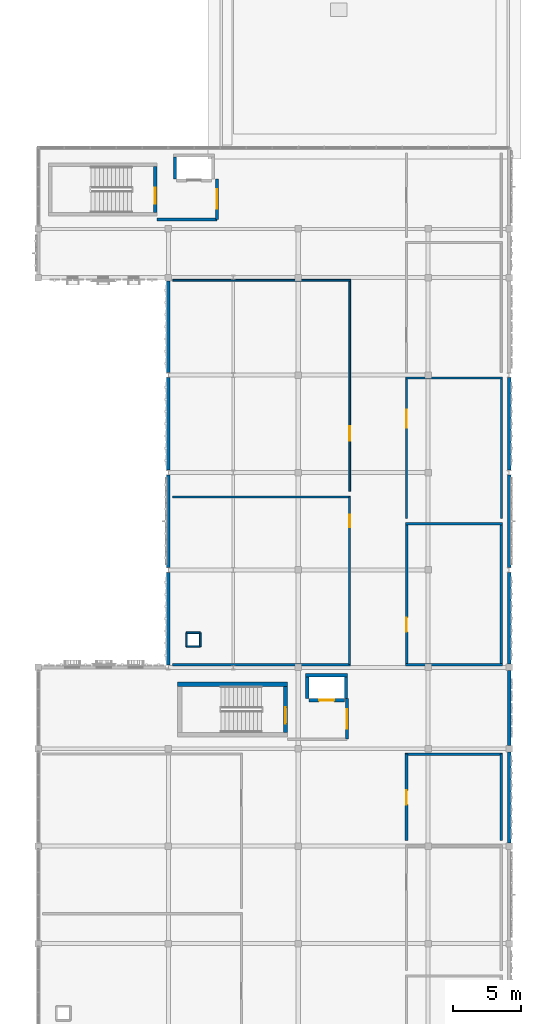
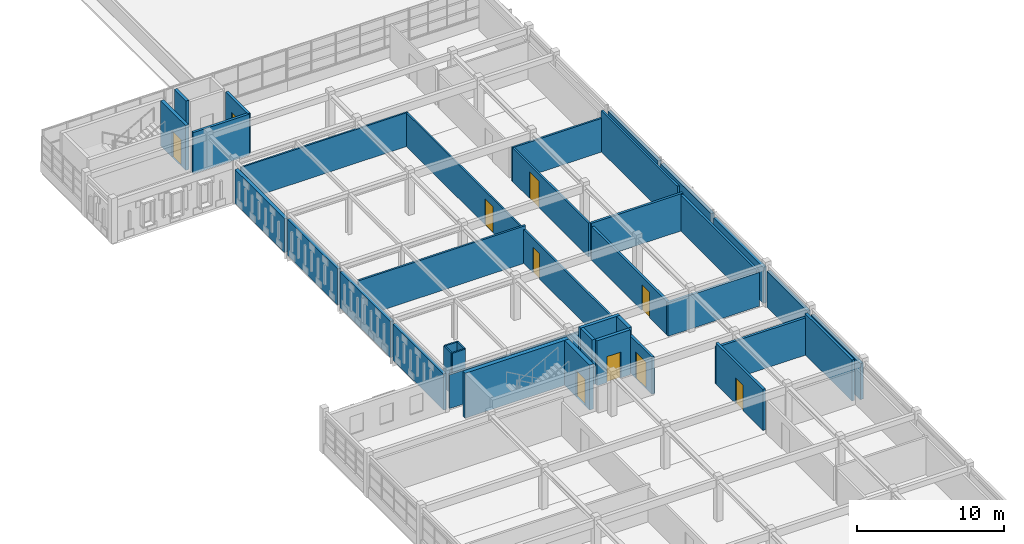
# One storey, part 31 of 53: 39 walls, 10 doors, 10 openings.
"""IFC4 building model written with IfcOpenShell, lengths in metres."""

from ifc_helpers import new_model, si_unit, direction, frame, frame_2d, origin, place, context, subcontext, project, spatial, rectangle, extrude, material, layer, layer_set, type_object, element, fill, save


model = new_model("IFC4")

# Units and contexts
model_context = context("Model", 3, precision=1e-05, world=origin(), true_north=direction((0.0, 1.0)))
body_context = subcontext(model_context, "Body", "Model", "MODEL_VIEW")
ifc_project = project(units=[si_unit("LENGTHUNIT", "METRE"), si_unit("AREAUNIT", "SQUARE_METRE"), si_unit("VOLUMEUNIT", "CUBIC_METRE"), si_unit("PLANEANGLEUNIT", "RADIAN"), si_unit("MASSUNIT", "GRAM", prefix="KILO")], contexts=[model_context])

# Site, building, storey
site_placement = place(None, origin())
site = spatial("IfcSite", under=ifc_project, at=site_placement, CompositionType="ELEMENT")
building_placement = place(site_placement, origin())
building = spatial("IfcBuilding", under=site, at=building_placement, Name="Nzembalo Square Collegiate School", CompositionType="ELEMENT")
storey_placement = place(building_placement, frame((0.0, 0.0, 13.60009765625)))
storey = spatial("IfcBuildingStorey", under=building, at=storey_placement, Name="L03", CompositionType="ELEMENT", Elevation=13.60009765625)

# Wall
ifc_material_1 = material(Name="Concrete C40/50", Category="concrete")
ifc_layer_1 = layer(ifc_material_1, 0.320068359375, Name="Concrete C40/50")
ifc_layer_set_1 = layer_set([ifc_layer_1], Name="Concrete C40/50")
wall_type_1 = type_object("IfcWallType", Name="SW01", PredefinedType="SHEAR", material=ifc_layer_set_1)
wall_1_placement = place(storey_placement, frame((141.080078125, 49.159912109375, 0.0), z_axis=(0.0, 0.0, 1.0), x_axis=(1.0, 0.0, 0.0)))
element("IfcWall", 1, at=wall_1_placement, inside=storey, type_object=wall_type_1, Name="Core C5 stair shear wall N L03", PredefinedType="SHEAR", context=body_context, shape_type="SweptSolid", body=[
    extrude(rectangle(XDim=8.139892578125, YDim=0.320068359375, at=frame_2d((4.06982421875, 0.0))), origin(), (0.0, 0.0, 1.0), 3.739990234375),
])

# Wall, opening, door
wall_2_placement = place(storey_placement, frame((149.06005859375, 45.60009765625, 0.0), z_axis=(0.0, 0.0, 1.0), x_axis=(0.0, 1.0, 0.0)))
wall_2 = element("IfcWall", 2, at=wall_2_placement, inside=storey, type_object=wall_type_1, Name="Core C5 stair shear wall E L03", PredefinedType="SHEAR", context=body_context, shape_type="SweptSolid", body=[
    extrude(rectangle(XDim=3.39990234375, YDim=0.320068359375, at=frame_2d((1.699951171875, 0.0))), origin(), (0.0, 0.0, 1.0), 3.739990234375),
])
opening_1_placement = place(wall_2_placement, frame((0.64990234375, 0.0, 0.0)))
opening_1 = element("IfcOpeningElement", 3, at=opening_1_placement, cuts=wall_2, Name="Opening FD-052", PredefinedType="OPENING", context=body_context, shape_type="SweptSolid", body=[
    extrude(rectangle(XDim=1.199951171875, YDim=2.199951171875, at=frame_2d((0.60009765625, 1.10009765625))), frame((0.0, 0.169921875, 0.0), z_axis=(0.0, -1.0, 0.0), x_axis=(1.0, 0.0, 0.0)), (0.0, 0.0, 1.0), 0.340087890625),
])
ifc_material_2 = material(Name="Fire-rated steel acoustic door", Category="steel")
door_type_1 = type_object("IfcDoorType", Name="FD01", OperationType="NOTDEFINED", PredefinedType="DOOR", material=ifc_material_2)
door_1_placement = place(opening_1_placement, origin())
door_1 = element("IfcDoor", 4, at=door_1_placement, inside=storey, type_object=door_type_1, Name="Stair fire door FD-052", OperationType="SINGLE_SWING_RIGHT", OverallHeight=2.199951171875, OverallWidth=1.199951171875, PredefinedType="DOOR", context=body_context, shape_type="SweptSolid", body=[
    extrude(rectangle(XDim=1.199951171875, YDim=2.199951171875, at=frame_2d((0.60009765625, 1.10009765625))), frame((0.0, 0.02490234375, 0.0), z_axis=(0.0, -1.0, 0.0), x_axis=(1.0, 0.0, 0.0)), (0.0, 0.0, 1.0), 0.050048828125),
])
fill(opening_1, door_1)

ifc_material_3 = material(Name="Concrete C35/45", Category="concrete")
ifc_layer_2 = layer(ifc_material_3, 0.260009765625, Name="Concrete C35/45")
ifc_layer_set_2 = layer_set([ifc_layer_2], Name="Concrete C35/45")
wall_type_2 = type_object("IfcWallType", Name="SW04", PredefinedType="SHEAR", material=ifc_layer_set_2)
wall_3_placement = place(storey_placement, frame((139.429931640625, 84.0, 0.0), z_axis=(0.0, 0.0, 1.0), x_axis=(0.0, 1.0, 0.0)))
wall_3 = element("IfcWall", 5, at=wall_3_placement, inside=storey, type_object=wall_type_2, Name="Core C4 stair shear wall E L03", PredefinedType="SHEAR", context=body_context, shape_type="SweptSolid", body=[
    extrude(rectangle(XDim=3.39990234375, YDim=0.260009765625, at=frame_2d((1.699951171875, 0.0))), origin(), (0.0, 0.0, 1.0), 3.739990234375),
])
opening_2_placement = place(wall_3_placement, frame((0.64990234375, 0.0, 0.0)))
opening_2 = element("IfcOpeningElement", 6, at=opening_2_placement, cuts=wall_3, Name="Opening FD-038", PredefinedType="OPENING", context=body_context, shape_type="SweptSolid", body=[
    extrude(rectangle(XDim=1.199951171875, YDim=2.199951171875, at=frame_2d((0.60009765625, 1.10009765625))), frame((0.0, 0.14013671875, 0.0), z_axis=(0.0, -1.0, 0.0), x_axis=(1.0, 0.0, 0.0)), (0.0, 0.0, 1.0), 0.280029296875),
])
door_2_placement = place(opening_2_placement, origin())
door_2 = element("IfcDoor", 7, at=door_2_placement, inside=storey, type_object=door_type_1, Name="Stair fire door FD-038", OperationType="SINGLE_SWING_RIGHT", OverallHeight=2.199951171875, OverallWidth=1.199951171875, PredefinedType="DOOR", context=body_context, shape_type="SweptSolid", body=[
    extrude(rectangle(XDim=1.199951171875, YDim=2.199951171875, at=frame_2d((0.60009765625, 1.10009765625))), frame((0.0, 0.02490234375, 0.0), z_axis=(0.0, -1.0, 0.0), x_axis=(1.0, 0.0, 0.0)), (0.0, 0.0, 1.0), 0.050048828125),
])
fill(opening_2, door_2)

# Walls
ifc_material_4 = material(Name="Concrete C35/45", Category="concrete")
ifc_layer_3 = layer(ifc_material_4, 0.25, Name="Concrete C35/45")
ifc_layer_set_3 = layer_set([ifc_layer_3], Name="Concrete C35/45")
wall_type_3 = type_object("IfcWallType", Name="SW05", PredefinedType="SHEAR", material=ifc_layer_set_3)
for number, where, z_axis, x_axis, name in (
    (8, (150.675048828125, 48.10009765625, 0.0), (0.0, 0.0, 1.0), (0.0, 1.0, 0.0), "Lift LF4 shaft wall W L03"),
    (9, (153.52490234375, 48.10009765625, 0.0), (0.0, 0.0, 1.0), (0.0, 1.0, 0.0), "Lift LF4 shaft wall E L03"),
):
    element("IfcWall", number, at=place(storey_placement, frame(where, z_axis=z_axis, x_axis=x_axis)), inside=storey, type_object=wall_type_3, Name=name, PredefinedType="SHEAR", context=body_context, shape_type="SweptSolid", body=[
        extrude(rectangle(XDim=1.599853515625, YDim=0.25, at=frame_2d((0.7998046875, 0.0))), origin(), (0.0, 0.0, 1.0), 3.739990234375),
    ])
wall_4_placement = place(storey_placement, frame((150.550048828125, 49.824951171875, 0.0), z_axis=(0.0, 0.0, 1.0), x_axis=(1.0, 0.0, 0.0)))
element("IfcWall", 10, at=wall_4_placement, inside=storey, type_object=wall_type_3, Name="Lift LF4 shaft wall N L03", PredefinedType="SHEAR", context=body_context, shape_type="SweptSolid", body=[
    extrude(rectangle(XDim=3.099853515625, YDim=0.25, at=frame_2d((1.5498046875, 0.0))), origin(), (0.0, 0.0, 1.0), 3.739990234375),
])

# Wall, opening, door
wall_5_placement = place(storey_placement, frame((150.800048828125, 47.97509765625, 0.0), z_axis=(0.0, 0.0, 1.0), x_axis=(1.0, 0.0, 0.0)))
wall_5 = element("IfcWall", 11, at=wall_5_placement, inside=storey, type_object=wall_type_3, Name="Lift LF4 landing front wall L03", PredefinedType="SHEAR", context=body_context, shape_type="SweptSolid", body=[
    extrude(rectangle(XDim=2.599853515625, YDim=0.25, at=frame_2d((1.2998046875, 0.0))), origin(), (0.0, 0.0, 1.0), 3.739990234375),
])
opening_3_placement = place(wall_5_placement, frame((0.75, 0.0, 0.0)))
opening_3 = element("IfcOpeningElement", 12, at=opening_3_placement, cuts=wall_5, Name="Opening LD-LF4-L03", PredefinedType="OPENING", context=body_context, shape_type="SweptSolid", body=[
    extrude(rectangle(XDim=1.10009765625, YDim=2.14990234375, at=frame_2d((0.550048828125, 1.074951171875))), frame((0.0, 0.135009765625, 0.0), z_axis=(0.0, -1.0, 0.0), x_axis=(1.0, 0.0, 0.0)), (0.0, 0.0, 1.0), 0.27001953125),
])
ifc_material_5 = material(Name="Stainless-steel sliding landing door", Category="steel")
door_type_2 = type_object("IfcDoorType", Name="LD01", OperationType="DOUBLE_DOOR_SLIDING", PredefinedType="DOOR", material=ifc_material_5)
door_3_placement = place(opening_3_placement, origin())
door_3 = element("IfcDoor", 13, at=door_3_placement, inside=storey, type_object=door_type_2, Name="Sliding lift landing door LD-LF4-L03", OperationType="DOUBLE_DOOR_SLIDING", OverallHeight=2.14990234375, OverallWidth=1.10009765625, PredefinedType="DOOR", context=body_context, shape_type="SweptSolid", body=[
    extrude(rectangle(XDim=1.10009765625, YDim=2.14990234375, at=frame_2d((0.550048828125, 1.074951171875))), frame((0.0, 0.02490234375, 0.0), z_axis=(0.0, -1.0, 0.0), x_axis=(1.0, 0.0, 0.0)), (0.0, 0.0, 1.0), 0.050048828125),
])
fill(opening_3, door_3)

# Walls
ifc_material_6 = material(Name="Concrete C35/45", Category="concrete")
ifc_layer_4 = layer(ifc_material_6, 0.219970703125, Name="Concrete C35/45")
ifc_layer_set_4 = layer_set([ifc_layer_4], Name="Concrete C35/45")
wall_type_4 = type_object("IfcWallType", Name="SW08", PredefinedType="SHEAR", material=ifc_layer_set_4)
wall_6_placement = place(storey_placement, frame((140.889892578125, 86.5, 0.0), z_axis=(0.0, 0.0, 1.0), x_axis=(0.0, 1.0, 0.0)))
element("IfcWall", 14, at=wall_6_placement, inside=storey, type_object=wall_type_4, Name="Lift LF3 shaft wall W L03", PredefinedType="SHEAR", context=body_context, shape_type="SweptSolid", body=[
    extrude(rectangle(XDim=1.60009765625, YDim=0.219970703125, at=frame_2d((0.800048828125, 0.0))), origin(), (0.0, 0.0, 1.0), 3.739990234375),
])
ifc_material_7 = material(Name="Concrete C30/37", Category="concrete")
ifc_layer_5 = layer(ifc_material_7, 0.264892578125, Name="Concrete C30/37")
ifc_layer_set_5 = layer_set([ifc_layer_5], Name="Concrete C30/37")
wall_type_5 = type_object("IfcWallType", Name="W06", PredefinedType="SOLIDWALL", material=ifc_layer_set_5)
wall_7_placement = place(storey_placement, frame((140.39990234375, 57.77197265625, 0.0), z_axis=(0.0, 0.0, 1.0), x_axis=(0.0, 1.0, 0.0)))
element("IfcWall", 15, at=wall_7_placement, inside=storey, type_object=wall_type_5, Name="Exterior wall W06 L03", PredefinedType="SOLIDWALL", context=body_context, shape_type="SweptSolid", body=[
    extrude(rectangle(XDim=6.85595703125, YDim=0.264892578125, at=frame_2d((3.427978515625, 0.0))), origin(), (0.0, 0.0, 1.0), 2.9990234375),
])
wall_8_placement = place(storey_placement, frame((140.39990234375, 72.172119140625, 0.0), z_axis=(0.0, 0.0, 1.0), x_axis=(0.0, 1.0, 0.0)))
element("IfcWall", 16, at=wall_8_placement, inside=storey, type_object=wall_type_5, Name="Exterior wall W06 L03", PredefinedType="SOLIDWALL", context=body_context, shape_type="SweptSolid", body=[
    extrude(rectangle(XDim=6.785888671875, YDim=0.264892578125, at=frame_2d((3.39306640625, 0.0))), origin(), (0.0, 0.0, 1.0), 2.808837890625),
])
wall_9_placement = place(storey_placement, frame((165.60009765625, 44.64208984375, 0.0), z_axis=(0.0, 0.0, 1.0), x_axis=(0.0, 1.0, 0.0)))
element("IfcWall", 17, at=wall_9_placement, inside=storey, type_object=wall_type_5, Name="Exterior wall W06 L03", PredefinedType="SOLIDWALL", context=body_context, shape_type="SweptSolid", body=[
    extrude(rectangle(XDim=5.515869140625, YDim=0.264892578125, at=frame_2d((2.7578125, 0.0))), origin(), (0.0, 0.0, 1.0), 2.9990234375),
])
wall_10_placement = place(storey_placement, frame((165.60009765625, 57.77197265625, 0.0), z_axis=(0.0, 0.0, 1.0), x_axis=(0.0, 1.0, 0.0)))
element("IfcWall", 18, at=wall_10_placement, inside=storey, type_object=wall_type_5, Name="Exterior wall W06 L03", PredefinedType="SOLIDWALL", context=body_context, shape_type="SweptSolid", body=[
    extrude(rectangle(XDim=6.85595703125, YDim=0.264892578125, at=frame_2d((3.427978515625, 0.0))), origin(), (0.0, 0.0, 1.0), 3.14892578125),
])
ifc_material_8 = material(Name="CLT CL24", Category="wood")
ifc_layer_6 = layer(ifc_material_8, 0.2451171875, Name="CLT CL24")
ifc_layer_set_6 = layer_set([ifc_layer_6], Name="CLT CL24")
wall_type_6 = type_object("IfcWallType", Name="W07", PredefinedType="SOLIDWALL", material=ifc_layer_set_6)
for number, where, z_axis, x_axis, name in (
    (19, (140.39990234375, 50.572021484375, 0.0), (0.0, 0.0, 1.0), (0.0, 1.0, 0.0), "Exterior wall W07 L03"),
    (20, (140.39990234375, 64.971923828125, 0.0), (0.0, 0.0, 1.0), (0.0, 1.0, 0.0), "Exterior wall W07 L03"),
):
    element("IfcWall", number, at=place(storey_placement, frame(where, z_axis=z_axis, x_axis=x_axis)), inside=storey, type_object=wall_type_6, Name=name, PredefinedType="SOLIDWALL", context=body_context, shape_type="SweptSolid", body=[
        extrude(rectangle(XDim=6.85595703125, YDim=0.2451171875, at=frame_2d((3.427978515625, 0.0))), origin(), (0.0, 0.0, 1.0), 2.9990234375),
    ])
wall_11_placement = place(storey_placement, frame((165.60009765625, 37.44189453125, 0.0), z_axis=(0.0, 0.0, 1.0), x_axis=(0.0, 1.0, 0.0)))
element("IfcWall", 21, at=wall_11_placement, inside=storey, type_object=wall_type_6, Name="Exterior wall W07 L03", PredefinedType="SOLIDWALL", context=body_context, shape_type="SweptSolid", body=[
    extrude(rectangle(XDim=6.716064453125, YDim=0.2451171875, at=frame_2d((3.35791015625, 0.0))), origin(), (0.0, 0.0, 1.0), 2.9990234375),
])
wall_12_placement = place(storey_placement, frame((165.60009765625, 50.64208984375, 0.0), z_axis=(0.0, 0.0, 1.0), x_axis=(0.0, 1.0, 0.0)))
element("IfcWall", 22, at=wall_12_placement, inside=storey, type_object=wall_type_6, Name="Exterior wall W07 L03", PredefinedType="SOLIDWALL", context=body_context, shape_type="SweptSolid", body=[
    extrude(rectangle(XDim=6.785888671875, YDim=0.2451171875, at=frame_2d((3.39306640625, 0.0))), origin(), (0.0, 0.0, 1.0), 2.9990234375),
])
wall_13_placement = place(storey_placement, frame((165.60009765625, 64.971923828125, 0.0), z_axis=(0.0, 0.0, 1.0), x_axis=(0.0, 1.0, 0.0)))
element("IfcWall", 23, at=wall_13_placement, inside=storey, type_object=wall_type_6, Name="Exterior wall W07 L03", PredefinedType="SOLIDWALL", context=body_context, shape_type="SweptSolid", body=[
    extrude(rectangle(XDim=6.85595703125, YDim=0.2451171875, at=frame_2d((3.427978515625, 0.0))), origin(), (0.0, 0.0, 1.0), 3.14892578125),
])

# Wall, opening, door
ifc_material_9 = material(Name="Concrete blockwork C25/30", Category="masonry")
ifc_layer_7 = layer(ifc_material_9, 0.199951171875, Name="Concrete blockwork C25/30")
ifc_layer_set_7 = layer_set([ifc_layer_7], Name="Concrete blockwork C25/30")
wall_type_7 = type_object("IfcWallType", Name="W11", PredefinedType="PARTITIONING", material=ifc_layer_set_7)
wall_14_placement = place(storey_placement, frame((144.0, 83.5, 0.0), z_axis=(0.0, 0.0, 1.0), x_axis=(0.0, 1.0, 0.0)))
wall_14 = element("IfcWall", 24, at=wall_14_placement, inside=storey, type_object=wall_type_7, Name="Core C4 EI 60 lobby wall E L03", PredefinedType="PARTITIONING", context=body_context, shape_type="SweptSolid", body=[
    extrude(rectangle(XDim=3.0, YDim=0.199951171875, at=frame_2d((1.5, 0.0))), origin(), (0.0, 0.0, 1.0), 3.413818359375),
])
opening_4_placement = place(wall_14_placement, frame((0.77490234375, 0.0, 0.0)))
opening_4 = element("IfcOpeningElement", 25, at=opening_4_placement, cuts=wall_14, Name="Opening FD-039", PredefinedType="OPENING", context=body_context, shape_type="SweptSolid", body=[
    extrude(rectangle(XDim=1.449951171875, YDim=2.199951171875, at=frame_2d((0.72509765625, 1.10009765625))), frame((0.0, 0.10986328125, 0.0), z_axis=(0.0, -1.0, 0.0), x_axis=(1.0, 0.0, 0.0)), (0.0, 0.0, 1.0), 0.219970703125),
])
ifc_material_10 = material(Name="Fire-rated double lobby door")
door_type_3 = type_object("IfcDoorType", Name="FD02", OperationType="DOUBLE_DOOR_SINGLE_SWING", PredefinedType="DOOR", material=ifc_material_10)
door_4_placement = place(opening_4_placement, frame((1.449951171875, 0.0, 0.0), z_axis=(0.0, 0.0, 1.0), x_axis=(-1.0, 0.0, 0.0)))
door_4 = element("IfcDoor", 26, at=door_4_placement, inside=storey, type_object=door_type_3, Name="Protected lobby fire door FD-039", OperationType="DOUBLE_DOOR_SINGLE_SWING", OverallHeight=2.199951171875, OverallWidth=1.449951171875, PredefinedType="DOOR", context=body_context, shape_type="SweptSolid", body=[
    extrude(rectangle(XDim=1.449951171875, YDim=2.199951171875, at=frame_2d((0.72509765625, 1.10009765625))), frame((0.0, 0.02490234375, 0.0), z_axis=(0.0, -1.0, 0.0), x_axis=(1.0, 0.0, 0.0)), (0.0, 0.0, 1.0), 0.050048828125),
])
fill(opening_4, door_4)

# Wall
wall_15_placement = place(storey_placement, frame((139.56005859375, 83.5, 0.0), z_axis=(0.0, 0.0, 1.0), x_axis=(1.0, 0.0, 0.0)))
element("IfcWall", 27, at=wall_15_placement, inside=storey, type_object=wall_type_7, Name="Core C4 EI 60 lobby wall S L03", PredefinedType="PARTITIONING", context=body_context, shape_type="SweptSolid", body=[
    extrude(rectangle(XDim=4.43994140625, YDim=0.199951171875, at=frame_2d((2.219970703125, 0.0))), origin(), (0.0, 0.0, 1.0), 3.413818359375),
])

# Wall, opening, door
wall_16_placement = place(storey_placement, frame((153.60009765625, 45.10009765625, 0.0), z_axis=(0.0, 0.0, 1.0), x_axis=(0.0, 1.0, 0.0)))
wall_16 = element("IfcWall", 28, at=wall_16_placement, inside=storey, type_object=wall_type_7, Name="Core C5 EI 60 lobby wall E L03", PredefinedType="PARTITIONING", context=body_context, shape_type="SweptSolid", body=[
    extrude(rectangle(XDim=3.0, YDim=0.199951171875, at=frame_2d((1.5, 0.0))), origin(), (0.0, 0.0, 1.0), 3.098876953125),
])
opening_5_placement = place(wall_16_placement, frame((0.77490234375, 0.0, 0.0)))
opening_5 = element("IfcOpeningElement", 29, at=opening_5_placement, cuts=wall_16, Name="Opening FD-053", PredefinedType="OPENING", context=body_context, shape_type="SweptSolid", body=[
    extrude(rectangle(XDim=1.449951171875, YDim=2.199951171875, at=frame_2d((0.72509765625, 1.10009765625))), frame((0.0, 0.10986328125, 0.0), z_axis=(0.0, -1.0, 0.0), x_axis=(1.0, 0.0, 0.0)), (0.0, 0.0, 1.0), 0.219970703125),
])
door_5_placement = place(opening_5_placement, frame((1.449951171875, 0.0, 0.0), z_axis=(0.0, 0.0, 1.0), x_axis=(-1.0, 0.0, 0.0)))
door_5 = element("IfcDoor", 30, at=door_5_placement, inside=storey, type_object=door_type_3, Name="Protected lobby fire door FD-053", OperationType="DOUBLE_DOOR_SINGLE_SWING", OverallHeight=2.199951171875, OverallWidth=1.449951171875, PredefinedType="DOOR", context=body_context, shape_type="SweptSolid", body=[
    extrude(rectangle(XDim=1.449951171875, YDim=2.199951171875, at=frame_2d((0.72509765625, 1.10009765625))), frame((0.0, 0.02490234375, 0.0), z_axis=(0.0, -1.0, 0.0), x_axis=(1.0, 0.0, 0.0)), (0.0, 0.0, 1.0), 0.050048828125),
])
fill(opening_5, door_5)

# Wall
ifc_material_11 = material(Name="Concrete blockwork C25/30", Category="masonry")
ifc_layer_8 = layer(ifc_material_11, 0.195068359375, Name="Concrete blockwork C25/30")
ifc_layer_set_8 = layer_set([ifc_layer_8], Name="Concrete blockwork C25/30")
wall_type_8 = type_object("IfcWallType", Name="W12", PredefinedType="PARTITIONING", material=ifc_layer_set_8)
wall_17_placement = place(storey_placement, frame((157.902587890625, 44.0, 0.0), z_axis=(0.0, 0.0, 1.0), x_axis=(1.0, 0.0, 0.0)))
element("IfcWall", 31, at=wall_17_placement, inside=storey, type_object=wall_type_8, Name="Interior partition W12 L03-042-N", PredefinedType="PARTITIONING", context=body_context, shape_type="SweptSolid", body=[
    extrude(rectangle(XDim=7.19482421875, YDim=0.195068359375, at=frame_2d((3.597412109375, 0.0))), origin(), (0.0, 0.0, 1.0), 3.098876953125),
])

# Wall, opening, door
wall_18_placement = place(storey_placement, frame((158.0, 37.60009765625, 0.0), z_axis=(0.0, 0.0, 1.0), x_axis=(0.0, 1.0, 0.0)))
wall_18 = element("IfcWall", 32, at=wall_18_placement, inside=storey, type_object=wall_type_8, Name="Interior partition W12 L03-042-W", PredefinedType="PARTITIONING", context=body_context, shape_type="SweptSolid", body=[
    extrude(rectangle(XDim=6.39990234375, YDim=0.195068359375, at=frame_2d((3.199951171875, 0.0))), origin(), (0.0, 0.0, 1.0), 3.413818359375),
])
opening_6_placement = place(wall_18_placement, frame((2.675048828125, 0.0, 0.0)))
opening_6 = element("IfcOpeningElement", 33, at=opening_6_placement, cuts=wall_18, Name="Opening D-L03-093", PredefinedType="OPENING", context=body_context, shape_type="SweptSolid", body=[
    extrude(rectangle(XDim=1.050048828125, YDim=2.14990234375, at=frame_2d((0.52490234375, 1.074951171875))), frame((0.0, 0.107421875, 0.0), z_axis=(0.0, -1.0, 0.0), x_axis=(1.0, 0.0, 0.0)), (0.0, 0.0, 1.0), 0.215087890625),
])
ifc_material_12 = material(Name="Fire-rated steel store door", Category="steel")
door_type_4 = type_object("IfcDoorType", Name="FD03", OperationType="NOTDEFINED", PredefinedType="DOOR", material=ifc_material_12)
door_6_placement = place(opening_6_placement, origin())
door_6 = element("IfcDoor", 34, at=door_6_placement, inside=storey, type_object=door_type_4, Name="Interior door D-L03-093 (Separated Acid and Solvent Chemical Store L03)", OperationType="SINGLE_SWING_LEFT", OverallHeight=2.14990234375, OverallWidth=1.050048828125, PredefinedType="DOOR", context=body_context, shape_type="SweptSolid", body=[
    extrude(rectangle(XDim=1.050048828125, YDim=2.14990234375, at=frame_2d((0.52490234375, 1.074951171875))), frame((0.0, 0.02490234375, 0.0), z_axis=(0.0, -1.0, 0.0), x_axis=(1.0, 0.0, 0.0)), (0.0, 0.0, 1.0), 0.050048828125),
])
fill(opening_6, door_6)

# Walls
wall_19_placement = place(storey_placement, frame((165.0, 37.60009765625, 0.0), z_axis=(0.0, 0.0, 1.0), x_axis=(0.0, 1.0, 0.0)))
element("IfcWall", 35, at=wall_19_placement, inside=storey, type_object=wall_type_8, Name="Interior partition W12 L03-042-E", PredefinedType="PARTITIONING", context=body_context, shape_type="SweptSolid", body=[
    extrude(rectangle(XDim=6.39990234375, YDim=0.195068359375, at=frame_2d((3.199951171875, 0.0))), origin(), (0.0, 0.0, 1.0), 3.413818359375),
])
ifc_material_13 = material(Name="Acoustic double-board stud")
ifc_layer_9 = layer(ifc_material_13, 0.14990234375, Name="Acoustic double-board stud")
ifc_layer_set_9 = layer_set([ifc_layer_9], Name="Acoustic double-board stud")
wall_type_9 = type_object("IfcWallType", Name="W17", PredefinedType="PARTITIONING", material=ifc_layer_set_9)
wall_20_placement = place(storey_placement, frame((140.72509765625, 50.60009765625, 0.0), z_axis=(0.0, 0.0, 1.0), x_axis=(1.0, 0.0, 0.0)))
element("IfcWall", 36, at=wall_20_placement, inside=storey, type_object=wall_type_9, Name="Interior partition W17 L03-030-S", PredefinedType="PARTITIONING", context=body_context, shape_type="SweptSolid", body=[
    extrude(rectangle(XDim=13.14990234375, YDim=0.14990234375, at=frame_2d((6.574951171875, 0.0))), origin(), (0.0, 0.0, 1.0), 2.808837890625),
])
wall_21_placement = place(storey_placement, frame((140.72509765625, 63.0, 0.0), z_axis=(0.0, 0.0, 1.0), x_axis=(1.0, 0.0, 0.0)))
element("IfcWall", 37, at=wall_21_placement, inside=storey, type_object=wall_type_9, Name="Interior partition W17 L03-030-N", PredefinedType="PARTITIONING", context=body_context, shape_type="SweptSolid", body=[
    extrude(rectangle(XDim=13.14990234375, YDim=0.14990234375, at=frame_2d((6.574951171875, 0.0))), origin(), (0.0, 0.0, 1.0), 3.098876953125),
])

# Wall, opening, door
wall_22_placement = place(storey_placement, frame((153.800048828125, 50.60009765625, 0.0), z_axis=(0.0, 0.0, 1.0), x_axis=(0.0, 1.0, 0.0)))
wall_22 = element("IfcWall", 38, at=wall_22_placement, inside=storey, type_object=wall_type_9, Name="Interior partition W17 L03-030-E", PredefinedType="PARTITIONING", context=body_context, shape_type="SweptSolid", body=[
    extrude(rectangle(XDim=12.39990234375, YDim=0.14990234375, at=frame_2d((6.199951171875, 0.0))), origin(), (0.0, 0.0, 1.0), 2.808837890625),
])
opening_7_placement = place(wall_22_placement, frame((10.154052734375, 0.0, 0.0)))
opening_7 = element("IfcOpeningElement", 39, at=opening_7_placement, cuts=wall_22, Name="Opening D-L03-082", PredefinedType="OPENING", context=body_context, shape_type="SweptSolid", body=[
    extrude(rectangle(XDim=0.93994140625, YDim=2.10009765625, at=frame_2d((0.469970703125, 1.050048828125))), frame((0.0, 0.0849609375, 0.0), z_axis=(0.0, -1.0, 0.0), x_axis=(1.0, 0.0, 0.0)), (0.0, 0.0, 1.0), 0.169921875),
])
ifc_material_14 = material(Name="Hardwood office door", Category="wood")
door_type_5 = type_object("IfcDoorType", Name="D07", OperationType="NOTDEFINED", PredefinedType="DOOR", material=ifc_material_14)
door_7_placement = place(opening_7_placement, origin())
door_7 = element("IfcDoor", 40, at=door_7_placement, inside=storey, type_object=door_type_5, Name="Interior door D-L03-082 (Secondary Classroom 3G)", OperationType="SINGLE_SWING_LEFT", OverallHeight=2.10009765625, OverallWidth=0.93994140625, PredefinedType="DOOR", context=body_context, shape_type="SweptSolid", body=[
    extrude(rectangle(XDim=0.93994140625, YDim=2.10009765625, at=frame_2d((0.469970703125, 1.050048828125))), frame((0.0, 0.02490234375, 0.0), z_axis=(0.0, -1.0, 0.0), x_axis=(1.0, 0.0, 0.0)), (0.0, 0.0, 1.0), 0.050048828125),
])
fill(opening_7, door_7)

# Wall
wall_23_placement = place(storey_placement, frame((157.925048828125, 71.800048828125, 0.0), z_axis=(0.0, 0.0, 1.0), x_axis=(1.0, 0.0, 0.0)))
element("IfcWall", 41, at=wall_23_placement, inside=storey, type_object=wall_type_9, Name="Interior partition W17 L03-033-N", PredefinedType="PARTITIONING", context=body_context, shape_type="SweptSolid", body=[
    extrude(rectangle(XDim=7.14990234375, YDim=0.14990234375, at=frame_2d((3.574951171875, 0.0))), origin(), (0.0, 0.0, 1.0), 2.808837890625),
])

# Wall, opening, door
wall_24_placement = place(storey_placement, frame((158.0, 61.39990234375, 0.0), z_axis=(0.0, 0.0, 1.0), x_axis=(0.0, 1.0, 0.0)))
wall_24 = element("IfcWall", 42, at=wall_24_placement, inside=storey, type_object=wall_type_9, Name="Interior partition W17 L03-033-W", PredefinedType="PARTITIONING", context=body_context, shape_type="SweptSolid", body=[
    extrude(rectangle(XDim=10.400146484375, YDim=0.14990234375, at=frame_2d((5.2001953125, 0.0))), origin(), (0.0, 0.0, 1.0), 2.808837890625),
])
opening_8_placement = place(wall_24_placement, frame((6.7099609375, 0.0, 0.0)))
opening_8 = element("IfcOpeningElement", 43, at=opening_8_placement, cuts=wall_24, Name="Opening D-L03-085", PredefinedType="OPENING", context=body_context, shape_type="SweptSolid", body=[
    extrude(rectangle(XDim=1.320068359375, YDim=2.219970703125, at=frame_2d((0.66015625, 1.10986328125))), frame((0.0, 0.0849609375, 0.0), z_axis=(0.0, -1.0, 0.0), x_axis=(1.0, 0.0, 0.0)), (0.0, 0.0, 1.0), 0.169921875),
])
ifc_material_15 = material(Name="Double-leaf studio acoustic door")
door_type_6 = type_object("IfcDoorType", Name="D04", OperationType="DOUBLE_DOOR_SINGLE_SWING", PredefinedType="DOOR", material=ifc_material_15)
door_8_placement = place(opening_8_placement, origin())
door_8 = element("IfcDoor", 44, at=door_8_placement, inside=storey, type_object=door_type_6, Name="Interior door D-L03-085 (Modern Languages Studio 3K)", OperationType="DOUBLE_DOOR_SINGLE_SWING", OverallHeight=2.219970703125, OverallWidth=1.320068359375, PredefinedType="DOOR", context=body_context, shape_type="SweptSolid", body=[
    extrude(rectangle(XDim=1.320068359375, YDim=2.219970703125, at=frame_2d((0.66015625, 1.10986328125))), frame((0.0, 0.02490234375, 0.0), z_axis=(0.0, -1.0, 0.0), x_axis=(1.0, 0.0, 0.0)), (0.0, 0.0, 1.0), 0.050048828125),
])
fill(opening_8, door_8)

# Walls
wall_25_placement = place(storey_placement, frame((165.0, 61.39990234375, 0.0), z_axis=(0.0, 0.0, 1.0), x_axis=(0.0, 1.0, 0.0)))
element("IfcWall", 45, at=wall_25_placement, inside=storey, type_object=wall_type_9, Name="Interior partition W17 L03-033-E", PredefinedType="PARTITIONING", context=body_context, shape_type="SweptSolid", body=[
    extrude(rectangle(XDim=10.400146484375, YDim=0.14990234375, at=frame_2d((5.2001953125, 0.0))), origin(), (0.0, 0.0, 1.0), 3.413818359375),
])
ifc_material_16 = material(Name="Gypsum plasterboard stud")
ifc_layer_10 = layer(ifc_material_16, 0.1298828125, Name="Gypsum plasterboard stud")
ifc_layer_set_10 = layer_set([ifc_layer_10], Name="Gypsum plasterboard stud")
wall_type_10 = type_object("IfcWallType", Name="W20", PredefinedType="PARTITIONING", material=ifc_layer_set_10)
wall_26_placement = place(storey_placement, frame((140.735107421875, 79.0, 0.0), z_axis=(0.0, 0.0, 1.0), x_axis=(1.0, 0.0, 0.0)))
element("IfcWall", 46, at=wall_26_placement, inside=storey, type_object=wall_type_10, Name="Interior partition W20 L03-031-N", PredefinedType="PARTITIONING", context=body_context, shape_type="SweptSolid", body=[
    extrude(rectangle(XDim=13.1298828125, YDim=0.1298828125, at=frame_2d((6.56494140625, 0.0))), origin(), (0.0, 0.0, 1.0), 2.808837890625),
])

# Wall, opening, door
wall_27_placement = place(storey_placement, frame((153.800048828125, 63.39990234375, 0.0), z_axis=(0.0, 0.0, 1.0), x_axis=(0.0, 1.0, 0.0)))
wall_27 = element("IfcWall", 47, at=wall_27_placement, inside=storey, type_object=wall_type_10, Name="Interior partition W20 L03-031-E", PredefinedType="PARTITIONING", context=body_context, shape_type="SweptSolid", body=[
    extrude(rectangle(XDim=15.60009765625, YDim=0.1298828125, at=frame_2d((7.800048828125, 0.0))), origin(), (0.0, 0.0, 1.0), 2.808837890625),
])
opening_9_placement = place(wall_27_placement, frame((3.72998046875, 0.0, 0.0)))
opening_9 = element("IfcOpeningElement", 48, at=opening_9_placement, cuts=wall_27, Name="Opening D-L03-083", PredefinedType="OPENING", context=body_context, shape_type="SweptSolid", body=[
    extrude(rectangle(XDim=1.080078125, YDim=2.159912109375, at=frame_2d((0.5400390625, 1.080078125))), frame((0.0, 0.074951171875, 0.0), z_axis=(0.0, -1.0, 0.0), x_axis=(1.0, 0.0, 0.0)), (0.0, 0.0, 1.0), 0.14990234375),
])
ifc_material_17 = material(Name="Acoustic oak classroom door")
door_type_7 = type_object("IfcDoorType", Name="D13", OperationType="NOTDEFINED", PredefinedType="DOOR", material=ifc_material_17)
door_9_placement = place(opening_9_placement, origin())
door_9 = element("IfcDoor", 49, at=door_9_placement, inside=storey, type_object=door_type_7, Name="Interior door D-L03-083 (Secondary Classroom 3H)", OperationType="SINGLE_SWING_RIGHT", OverallHeight=2.159912109375, OverallWidth=1.080078125, PredefinedType="DOOR", context=body_context, shape_type="SweptSolid", body=[
    extrude(rectangle(XDim=1.080078125, YDim=2.159912109375, at=frame_2d((0.5400390625, 1.080078125))), frame((0.0, 0.02490234375, 0.0), z_axis=(0.0, -1.0, 0.0), x_axis=(1.0, 0.0, 0.0)), (0.0, 0.0, 1.0), 0.050048828125),
])
fill(opening_9, door_9)

# Walls
ifc_material_18 = material(Name="High-mass acoustic blockwork", Category="masonry")
ifc_layer_11 = layer(ifc_material_18, 0.18505859375, Name="High-mass acoustic blockwork")
ifc_layer_set_11 = layer_set([ifc_layer_11], Name="High-mass acoustic blockwork")
wall_type_11 = type_object("IfcWallType", Name="W22", PredefinedType="PARTITIONING", material=ifc_layer_set_11)
wall_28_placement = place(storey_placement, frame((157.907470703125, 50.60009765625, 0.0), z_axis=(0.0, 0.0, 1.0), x_axis=(1.0, 0.0, 0.0)))
element("IfcWall", 50, at=wall_28_placement, inside=storey, type_object=wall_type_11, Name="Interior partition W22 L03-032-S", PredefinedType="PARTITIONING", context=body_context, shape_type="SweptSolid", body=[
    extrude(rectangle(XDim=7.18505859375, YDim=0.18505859375, at=frame_2d((3.592529296875, 0.0))), origin(), (0.0, 0.0, 1.0), 2.808837890625),
])
wall_29_placement = place(storey_placement, frame((157.907470703125, 61.0, 0.0), z_axis=(0.0, 0.0, 1.0), x_axis=(1.0, 0.0, 0.0)))
element("IfcWall", 51, at=wall_29_placement, inside=storey, type_object=wall_type_11, Name="Interior partition W22 L03-032-N", PredefinedType="PARTITIONING", context=body_context, shape_type="SweptSolid", body=[
    extrude(rectangle(XDim=7.18505859375, YDim=0.18505859375, at=frame_2d((3.592529296875, 0.0))), origin(), (0.0, 0.0, 1.0), 3.098876953125),
])

# Wall, opening, door
wall_30_placement = place(storey_placement, frame((158.0, 50.60009765625, 0.0), z_axis=(0.0, 0.0, 1.0), x_axis=(0.0, 1.0, 0.0)))
wall_30 = element("IfcWall", 52, at=wall_30_placement, inside=storey, type_object=wall_type_11, Name="Interior partition W22 L03-032-W", PredefinedType="PARTITIONING", context=body_context, shape_type="SweptSolid", body=[
    extrude(rectangle(XDim=10.39990234375, YDim=0.18505859375, at=frame_2d((5.199951171875, 0.0))), origin(), (0.0, 0.0, 1.0), 2.808837890625),
])
opening_10_placement = place(wall_30_placement, frame((2.4375, 0.0, 0.0)))
opening_10 = element("IfcOpeningElement", 53, at=opening_10_placement, cuts=wall_30, Name="Opening D-L03-084", PredefinedType="OPENING", context=body_context, shape_type="SweptSolid", body=[
    extrude(rectangle(XDim=1.050048828125, YDim=2.14990234375, at=frame_2d((0.52490234375, 1.074951171875))), frame((0.0, 0.1025390625, 0.0), z_axis=(0.0, -1.0, 0.0), x_axis=(1.0, 0.0, 0.0)), (0.0, 0.0, 1.0), 0.205078125),
])
door_10_placement = place(opening_10_placement, origin())
door_10 = element("IfcDoor", 54, at=door_10_placement, inside=storey, type_object=door_type_4, Name="Interior door D-L03-084 (Secondary Geography Studio 3J)", OperationType="SINGLE_SWING_LEFT", OverallHeight=2.14990234375, OverallWidth=1.050048828125, PredefinedType="DOOR", context=body_context, shape_type="SweptSolid", body=[
    extrude(rectangle(XDim=1.050048828125, YDim=2.14990234375, at=frame_2d((0.52490234375, 1.074951171875))), frame((0.0, 0.02490234375, 0.0), z_axis=(0.0, -1.0, 0.0), x_axis=(1.0, 0.0, 0.0)), (0.0, 0.0, 1.0), 0.050048828125),
])
fill(opening_10, door_10)

# Walls
wall_31_placement = place(storey_placement, frame((165.0, 50.60009765625, 0.0), z_axis=(0.0, 0.0, 1.0), x_axis=(0.0, 1.0, 0.0)))
element("IfcWall", 55, at=wall_31_placement, inside=storey, type_object=wall_type_11, Name="Interior partition W22 L03-032-E", PredefinedType="PARTITIONING", context=body_context, shape_type="SweptSolid", body=[
    extrude(rectangle(XDim=10.39990234375, YDim=0.18505859375, at=frame_2d((5.199951171875, 0.0))), origin(), (0.0, 0.0, 1.0), 3.0087890625),
])
ifc_material_19 = material(Name="Fire-rated shaftwall stud")
ifc_layer_12 = layer(ifc_material_19, 0.1201171875, Name="Fire-rated shaftwall stud")
ifc_layer_set_12 = layer_set([ifc_layer_12], Name="Fire-rated shaftwall stud")
wall_type_12 = type_object("IfcWallType", Name="W23", PredefinedType="PARTITIONING", material=ifc_layer_set_12)
for number, where, z_axis, x_axis, name in (
    (56, (141.739990234375, 51.93994140625, 0.0), (0.0, 0.0, 1.0), (1.0, 0.0, 0.0), "Service riser shaftwall W23-020-1"),
    (57, (142.760009765625, 51.93994140625, 0.0), (0.0, 0.0, 1.0), (0.0, 1.0, 0.0), "Service riser shaftwall W23-020-2"),
    (58, (142.760009765625, 52.9599609375, 0.0), (0.0, 0.0, 1.0), (-1.0, 0.0, 0.0), "Service riser shaftwall W23-020-3"),
    (59, (141.739990234375, 52.9599609375, 0.0), (0.0, 0.0, 1.0), (0.0, -1.0, 0.0), "Service riser shaftwall W23-020-4"),
):
    element("IfcWall", number, at=place(storey_placement, frame(where, z_axis=z_axis, x_axis=x_axis)), inside=storey, type_object=wall_type_12, Name=name, PredefinedType="PARTITIONING", context=body_context, shape_type="SweptSolid", body=[
        extrude(rectangle(XDim=1.02001953125, YDim=0.1201171875, at=frame_2d((0.510009765625, 0.0))), origin(), (0.0, 0.0, 1.0), 3.413818359375),
    ])

save(model, "model.ifc")
